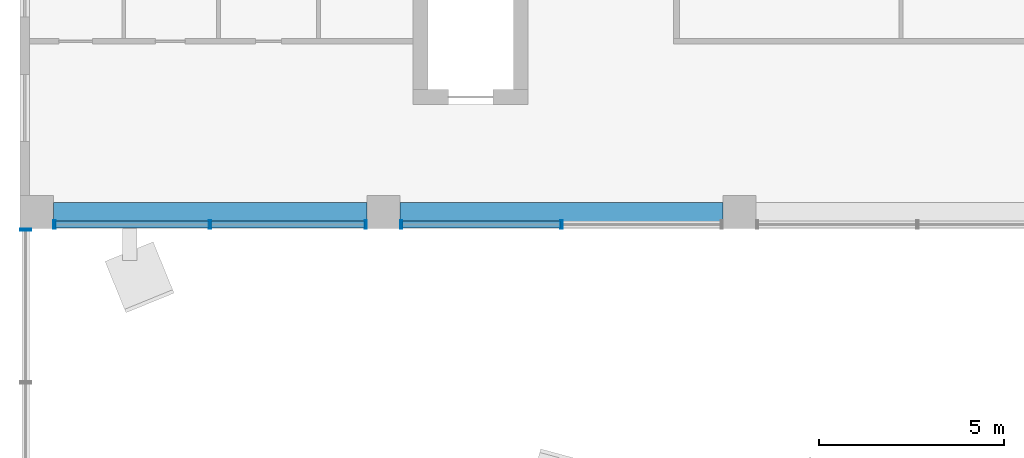
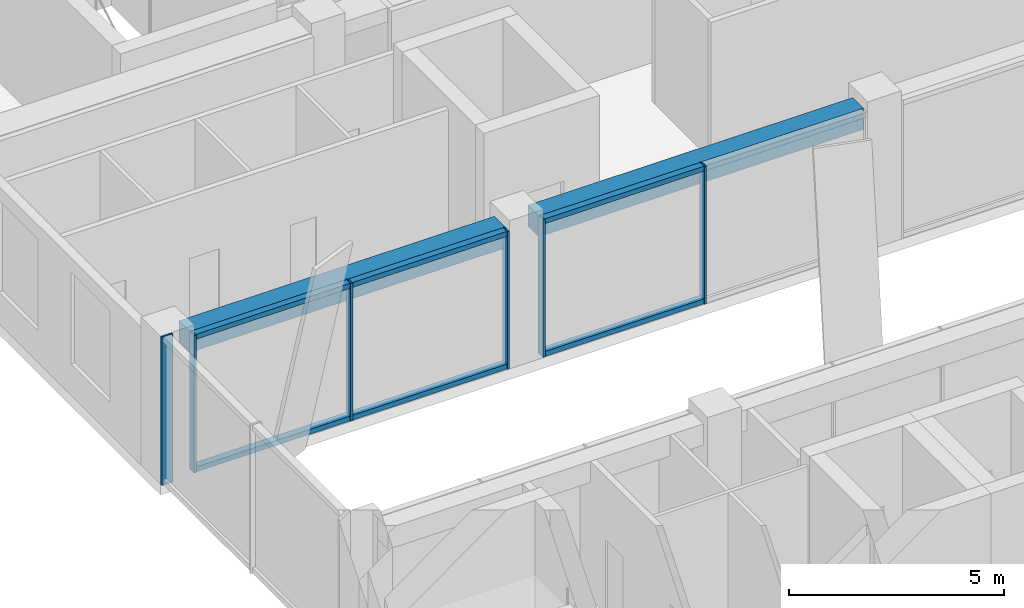
# One storey, part 8 of 36: 12 members, 2 beams, 3 elements without a shape of their own.
"""IFC4 building model written with IfcOpenShell, lengths in metres."""

from ifc_helpers import new_model, si_unit, direction, frame, origin, origin_2d, place, context, subcontext, project, spatial, rectangle, hollow_rectangle, extrude, material, layer, layer_set, material_profile, profile_set, type_object, element, aggregate, save


model = new_model("IFC4")

# Units and contexts
model_context = context("Model", 3, precision=1e-05, world=origin(), true_north=direction((0.0, 1.0)))
body_context = subcontext(model_context, "Body", "Model", "MODEL_VIEW")
ifc_project = project(units=[si_unit("LENGTHUNIT", "METRE"), si_unit("AREAUNIT", "SQUARE_METRE"), si_unit("VOLUMEUNIT", "CUBIC_METRE"), si_unit("PLANEANGLEUNIT", "RADIAN"), si_unit("MASSUNIT", "GRAM", prefix="KILO")], contexts=[model_context])

# Site, building, storey
site_placement = place(None, origin())
site = spatial("IfcSite", under=ifc_project, at=site_placement, CompositionType="ELEMENT")
building_placement = place(site_placement, origin())
building = spatial("IfcBuilding", under=site, at=building_placement, Name="Nzadi Deep Aquarium and Research Tower", CompositionType="ELEMENT")
storey_placement = place(building_placement, frame((0.0, 0.0, 44.5)))
storey = spatial("IfcBuildingStorey", under=building, at=storey_placement, Name="L08", CompositionType="ELEMENT", Elevation=44.5)

# Curtain wall, members
ifc_material_1 = material(Name="Aluminium unitised frame deep", Category="aluminium")
ifc_layer_1 = layer(ifc_material_1, 0.22509765625)
ifc_layer_set_1 = layer_set([ifc_layer_1], Name="Aluminium unitised frame deep")
curtain_wall_type_1 = type_object("IfcCurtainWallType", Name="Curtain wall Unitised Deep 225", PredefinedType="NOTDEFINED", material=ifc_layer_set_1)
curtain_wall_1_placement = place(storey_placement, origin())
curtain_wall_1 = element("IfcCurtainWall", 1, at=curtain_wall_1_placement, inside=storey, type_object=curtain_wall_type_1, Name="Unitised curtain wall blade B south L08", PredefinedType="NOTDEFINED")
ifc_material_2 = material(Name="Aluminium unitised frame deep", Category="aluminium")
ifc_material_profile_1 = material_profile(ifc_material_2, hollow_rectangle(XDim=0.22509765625, YDim=0.06005859375, WallThickness=0.0048828125, at=origin_2d()))
ifc_profile_set_1 = profile_set([ifc_material_profile_1], Name="Aluminium unitised frame deep")
member_type_1 = type_object("IfcMemberType", Name="Mullion 60x225 Unitised Deep", PredefinedType="MULLION", material=ifc_profile_set_1)
member_1_placement = place(storey_placement, frame((0.72998046875, 27.262451171875, 0.0), z_axis=(0.0, 0.0, 1.0), x_axis=(0.0, 1.0, 0.0)))
member_1 = element("IfcMember", 2, at=member_1_placement, type_object=member_type_1, Name="CW108 mullion 1", PredefinedType="MULLION", context=body_context, shape_type="SweptSolid", body=[
    extrude(hollow_rectangle(XDim=0.22509765625, YDim=0.06005859375, WallThickness=0.0048828125, at=origin_2d()), origin(), (0.0, 0.0, 1.0), 3.89990234375),
])
member_2_placement = place(storey_placement, frame((4.925048828125, 27.262451171875, 0.0), z_axis=(0.0, 0.0, 1.0), x_axis=(0.0, 1.0, 0.0)))
member_2 = element("IfcMember", 3, at=member_2_placement, type_object=member_type_1, Name="CW108 mullion 2", PredefinedType="MULLION", context=body_context, shape_type="SweptSolid", body=[
    extrude(hollow_rectangle(XDim=0.22509765625, YDim=0.06005859375, WallThickness=0.0048828125, at=origin_2d()), origin(), (0.0, 0.0, 1.0), 3.89990234375),
])
member_3_placement = place(storey_placement, frame((9.1201171875, 27.262451171875, 0.0), z_axis=(0.0, 0.0, 1.0), x_axis=(0.0, 1.0, 0.0)))
member_3 = element("IfcMember", 4, at=member_3_placement, type_object=member_type_1, Name="CW108 mullion 3", PredefinedType="MULLION", context=body_context, shape_type="SweptSolid", body=[
    extrude(hollow_rectangle(XDim=0.22509765625, YDim=0.06005859375, WallThickness=0.0048828125, at=origin_2d()), origin(), (0.0, 0.0, 1.0), 3.89990234375),
])

curtain_wall_2_placement = place(storey_placement, origin())
curtain_wall_2 = element("IfcCurtainWall", 5, at=curtain_wall_2_placement, inside=storey, type_object=curtain_wall_type_1, Name="Unitised curtain wall blade B south L08", PredefinedType="NOTDEFINED")
member_4_placement = place(storey_placement, frame((10.080078125, 27.262451171875, 0.0), z_axis=(0.0, 0.0, 1.0), x_axis=(0.0, 1.0, 0.0)))
member_4 = element("IfcMember", 6, at=member_4_placement, type_object=member_type_1, Name="CW109 mullion 1", PredefinedType="MULLION", context=body_context, shape_type="SweptSolid", body=[
    extrude(hollow_rectangle(XDim=0.22509765625, YDim=0.06005859375, WallThickness=0.0048828125, at=origin_2d()), origin(), (0.0, 0.0, 1.0), 3.89990234375),
])
member_5_placement = place(storey_placement, frame((14.39990234375, 27.262451171875, 0.0), z_axis=(0.0, 0.0, 1.0), x_axis=(0.0, 1.0, 0.0)))
member_5 = element("IfcMember", 7, at=member_5_placement, type_object=member_type_1, Name="CW109 mullion 2", PredefinedType="MULLION", context=body_context, shape_type="SweptSolid", body=[
    extrude(hollow_rectangle(XDim=0.22509765625, YDim=0.06005859375, WallThickness=0.0048828125, at=origin_2d()), origin(), (0.0, 0.0, 1.0), 3.89990234375),
])

# Curtain wall, member
ifc_material_3 = material(Name="Aluminium unitised frame wind post", Category="aluminium")
ifc_layer_2 = layer(ifc_material_3, 0.300048828125)
ifc_layer_set_2 = layer_set([ifc_layer_2], Name="Aluminium unitised frame wind post")
curtain_wall_type_2 = type_object("IfcCurtainWallType", Name="Curtain wall Slot End 300", PredefinedType="NOTDEFINED", material=ifc_layer_set_2)
curtain_wall_3_placement = place(storey_placement, origin())
curtain_wall_3 = element("IfcCurtainWall", 8, at=curtain_wall_3_placement, inside=storey, type_object=curtain_wall_type_2, Name="Glazed slot end west L08", PredefinedType="NOTDEFINED")
ifc_material_4 = material(Name="Aluminium unitised frame wind post", Category="aluminium")
ifc_material_profile_2 = material_profile(ifc_material_4, hollow_rectangle(XDim=0.300048828125, YDim=0.06005859375, WallThickness=0.0048828125, at=origin_2d()))
ifc_profile_set_2 = profile_set([ifc_material_profile_2], Name="Aluminium unitised frame wind post")
member_type_2 = type_object("IfcMemberType", Name="Mullion 60x300 Slot End", PredefinedType="MULLION", material=ifc_profile_set_2)
member_6_placement = place(storey_placement, frame((-0.049560546875, 27.1201171875, 0.0), z_axis=(0.0, 0.0, 1.0), x_axis=(-1.0, 0.0, 0.0)))
member_6 = element("IfcMember", 9, at=member_6_placement, type_object=member_type_2, Name="CW207 mullion 3", PredefinedType="MULLION", context=body_context, shape_type="SweptSolid", body=[
    extrude(hollow_rectangle(XDim=0.300048828125, YDim=0.06005859375, WallThickness=0.0048828125, at=origin_2d()), origin(), (0.0, 0.0, 1.0), 4.199951171875),
])
aggregate(curtain_wall_3, [member_6])

# Beams
ifc_material_5 = material(Name="Concrete C35/45", Category="concrete")
ifc_material_profile_3 = material_profile(ifc_material_5, rectangle(XDim=0.5, YDim=0.60009765625, at=origin_2d()))
ifc_profile_set_3 = profile_set([ifc_material_profile_3], Name="Concrete C35/45")
beam_type = type_object("IfcBeamType", Name="RC 500x600", PredefinedType="BEAM", material=ifc_profile_set_3)
beam_1_placement = place(storey_placement, frame((0.699951171875, 27.60009765625, 3.60009765625), z_axis=(1.0, 0.0, 0.0), x_axis=(0.0, 1.0, 0.0)))
element("IfcBeam", 10, at=beam_1_placement, inside=storey, type_object=beam_type, Name="B-Z1-L08-L4-1", PredefinedType="BEAM", context=body_context, shape_type="SweptSolid", body=[
    extrude(rectangle(XDim=0.5, YDim=0.60009765625, at=origin_2d()), origin(), (0.0, 0.0, 1.0), 8.449951171875),
])
beam_2_placement = place(storey_placement, frame((10.050048828125, 27.60009765625, 3.60009765625), z_axis=(1.0, 0.0, 0.0), x_axis=(0.0, 1.0, 0.0)))
element("IfcBeam", 11, at=beam_2_placement, inside=storey, type_object=beam_type, Name="B-Z1-L08-L4-2", PredefinedType="BEAM", context=body_context, shape_type="SweptSolid", body=[
    extrude(rectangle(XDim=0.5, YDim=0.60009765625, at=origin_2d()), origin(), (0.0, 0.0, 1.0), 8.699951171875),
])

# Member
ifc_material_6 = material(Name="Aluminium unitised frame deep", Category="aluminium")
ifc_material_profile_4 = material_profile(ifc_material_6, hollow_rectangle(XDim=0.179931640625, YDim=0.139892578125, WallThickness=0.0048828125, at=origin_2d()))
ifc_profile_set_4 = profile_set([ifc_material_profile_4], Name="Aluminium unitised frame deep")
member_type_3 = type_object("IfcMemberType", Name="Transom 140x180 Unitised Deep", PredefinedType="MULLION", material=ifc_profile_set_4)
member_7_placement = place(storey_placement, frame((0.760009765625, 27.262451171875, 0.070068359375), z_axis=(1.0, 0.0, 0.0), x_axis=(0.0, 1.0, 0.0)))
member_7 = element("IfcMember", 12, at=member_7_placement, type_object=member_type_3, Name="CW108 transom 1.1", PredefinedType="MULLION", context=body_context, shape_type="SweptSolid", body=[
    extrude(hollow_rectangle(XDim=0.179931640625, YDim=0.139892578125, WallThickness=0.0048828125, at=origin_2d()), origin(), (0.0, 0.0, 1.0), 4.135009765625),
])

member_8_placement = place(storey_placement, frame((0.760009765625, 27.262451171875, 3.830078125), z_axis=(1.0, 0.0, 0.0), x_axis=(0.0, 1.0, 0.0)))
member_8 = element("IfcMember", 13, at=member_8_placement, type_object=member_type_3, Name="CW108 transom 1.2", PredefinedType="MULLION", context=body_context, shape_type="SweptSolid", body=[
    extrude(hollow_rectangle(XDim=0.179931640625, YDim=0.139892578125, WallThickness=0.0048828125, at=origin_2d()), origin(), (0.0, 0.0, 1.0), 4.135009765625),
])

member_9_placement = place(storey_placement, frame((4.955078125, 27.262451171875, 0.070068359375), z_axis=(1.0, 0.0, 0.0), x_axis=(0.0, 1.0, 0.0)))
member_9 = element("IfcMember", 14, at=member_9_placement, type_object=member_type_3, Name="CW108 transom 2.1", PredefinedType="MULLION", context=body_context, shape_type="SweptSolid", body=[
    extrude(hollow_rectangle(XDim=0.179931640625, YDim=0.139892578125, WallThickness=0.0048828125, at=origin_2d()), origin(), (0.0, 0.0, 1.0), 4.135009765625),
])

member_10_placement = place(storey_placement, frame((4.955078125, 27.262451171875, 3.830078125), z_axis=(1.0, 0.0, 0.0), x_axis=(0.0, 1.0, 0.0)))
member_10 = element("IfcMember", 15, at=member_10_placement, type_object=member_type_3, Name="CW108 transom 2.2", PredefinedType="MULLION", context=body_context, shape_type="SweptSolid", body=[
    extrude(hollow_rectangle(XDim=0.179931640625, YDim=0.139892578125, WallThickness=0.0048828125, at=origin_2d()), origin(), (0.0, 0.0, 1.0), 4.135009765625),
])

aggregate(curtain_wall_1, [member_1, member_2, member_3, member_7, member_8, member_9, member_10])

member_11_placement = place(storey_placement, frame((10.110107421875, 27.262451171875, 0.070068359375), z_axis=(1.0, 0.0, 0.0), x_axis=(0.0, 1.0, 0.0)))
member_11 = element("IfcMember", 16, at=member_11_placement, type_object=member_type_3, Name="CW109 transom 1.1", PredefinedType="MULLION", context=body_context, shape_type="SweptSolid", body=[
    extrude(hollow_rectangle(XDim=0.179931640625, YDim=0.139892578125, WallThickness=0.0048828125, at=origin_2d()), origin(), (0.0, 0.0, 1.0), 4.260009765625),
])

member_12_placement = place(storey_placement, frame((10.110107421875, 27.262451171875, 3.830078125), z_axis=(1.0, 0.0, 0.0), x_axis=(0.0, 1.0, 0.0)))
member_12 = element("IfcMember", 17, at=member_12_placement, type_object=member_type_3, Name="CW109 transom 1.2", PredefinedType="MULLION", context=body_context, shape_type="SweptSolid", body=[
    extrude(hollow_rectangle(XDim=0.179931640625, YDim=0.139892578125, WallThickness=0.0048828125, at=origin_2d()), origin(), (0.0, 0.0, 1.0), 4.260009765625),
])

aggregate(curtain_wall_2, [member_4, member_5, member_11, member_12])

save(model, "model.ifc")
